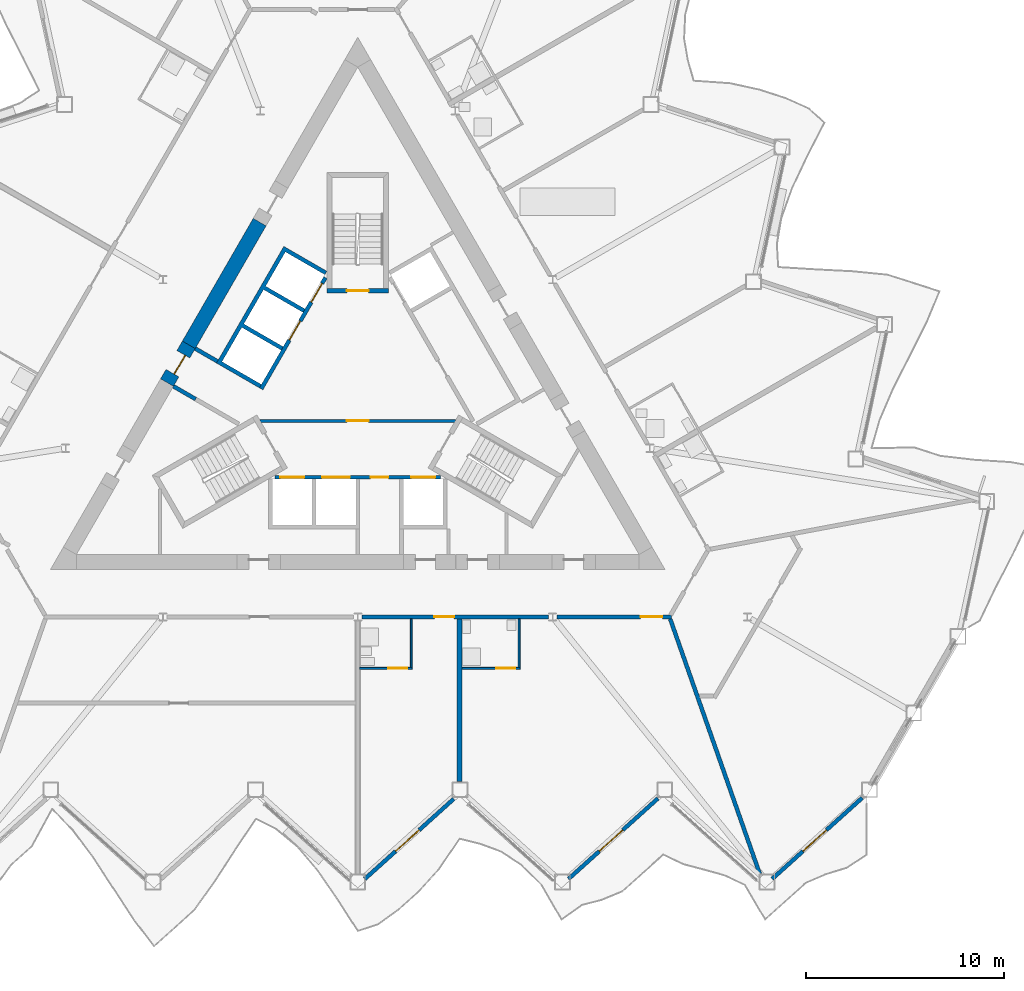
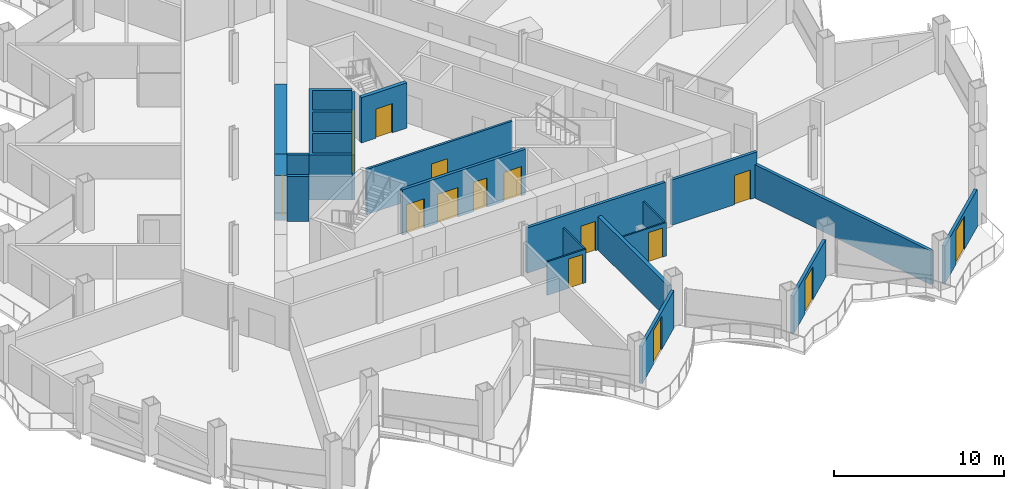
# One storey, part 11 of 22: 20 walls, 16 doors, 16 openings.
"""IFC4 building model written with IfcOpenShell, lengths in metres."""

from ifc_helpers import new_model, si_unit, direction, frame, frame_2d, origin, place, context, subcontext, project, spatial, polyline, rectangle, outline, extrude, material, layer, layer_set, type_object, element, fill, save


model = new_model("IFC4")

# Units and contexts
model_context = context("Model", 3, precision=1e-05, world=origin(), true_north=direction((0.0, 1.0)))
body_context = subcontext(model_context, "Body", "Model", "MODEL_VIEW")
ifc_project = project(units=[si_unit("LENGTHUNIT", "METRE"), si_unit("AREAUNIT", "SQUARE_METRE"), si_unit("VOLUMEUNIT", "CUBIC_METRE"), si_unit("PLANEANGLEUNIT", "RADIAN"), si_unit("MASSUNIT", "GRAM", prefix="KILO")], contexts=[model_context])

# Site, building, storey
site_placement = place(None, origin())
site = spatial("IfcSite", under=ifc_project, at=site_placement, CompositionType="ELEMENT")
building_placement = place(site_placement, origin())
building = spatial("IfcBuilding", under=site, at=building_placement, Name="Cormorant Prow Tower", CompositionType="ELEMENT")
storey_placement = place(building_placement, frame((0.0, 0.0, 194.39990234375)))
storey = spatial("IfcBuildingStorey", under=building, at=storey_placement, Name="L42", CompositionType="ELEMENT", Elevation=194.39990234375)

# Wall, opening, door
ifc_material_1 = material(Name="Gypsum board partition")
ifc_layer_1 = layer(ifc_material_1, 0.14990234375)
ifc_layer_set_1 = layer_set([ifc_layer_1], Name="Gypsum board partition")
wall_type_1 = type_object("IfcWallType", Name="Core partition 150", PredefinedType="PARTITIONING", material=ifc_layer_set_1)
wall_1_placement = place(storey_placement, frame((-4.941162109375, -1.449951171875, 0.0), z_axis=(0.0, 0.0, 1.0), x_axis=(1.0, 0.0, 0.0)))
wall_1 = element("IfcWall", 1, at=wall_1_placement, inside=storey, type_object=wall_type_1, Name="Firefighting lobby partition", PredefinedType="PARTITIONING", context=body_context, shape_type="SweptSolid", body=[
    extrude(rectangle(XDim=9.88232421875, YDim=0.14990234375, at=frame_2d((4.941162109375, 0.0))), origin(), (0.0, 0.0, 1.0), 3.25),
])
opening_1_placement = place(wall_1_placement, frame((4.39111328125, 0.0, 0.0)))
opening_1 = element("IfcOpeningElement", 2, at=opening_1_placement, cuts=wall_1, Name="Opening L42-C09", PredefinedType="OPENING", context=body_context, shape_type="SweptSolid", body=[
    extrude(rectangle(XDim=1.10009765625, YDim=2.10009765625, at=frame_2d((0.550048828125, 1.050048828125))), frame((0.0, 0.0849609375, 0.0), z_axis=(0.0, -1.0, 0.0), x_axis=(1.0, 0.0, 0.0)), (0.0, 0.0, 1.0), 0.169921875),
])
ifc_material_2 = material(Name="Painted steel", Category="steel")
door_type_1 = type_object("IfcDoorType", Name="Firefighting lobby door 1100x2100", OperationType="NOTDEFINED", PredefinedType="DOOR", material=ifc_material_2)
door_1_placement = place(opening_1_placement, origin())
door_1 = element("IfcDoor", 3, at=door_1_placement, inside=storey, type_object=door_type_1, Name="Firefighting lobby door", OperationType="SINGLE_SWING_LEFT", OverallHeight=2.10009765625, OverallWidth=1.10009765625, PredefinedType="DOOR", context=body_context, shape_type="SweptSolid", body=[
    extrude(rectangle(XDim=1.10009765625, YDim=2.10009765625, at=frame_2d((0.550048828125, 1.050048828125))), frame((0.0, 0.02490234375, 0.0), z_axis=(0.0, -1.0, 0.0), x_axis=(1.0, 0.0, 0.0)), (0.0, 0.0, 1.0), 0.050048828125),
])
fill(opening_1, door_1)

# Wall
ifc_material_3 = material(Name="Concrete 8000 psi", Category="concrete")
ifc_layer_2 = layer(ifc_material_3, 0.75)
ifc_layer_set_2 = layer_set([ifc_layer_2], Name="Concrete 8000 psi")
wall_type_2 = type_object("IfcWallType", Name="Core shear wall 750", PredefinedType="SHEAR", material=ifc_layer_set_2)
wall_2_placement = place(storey_placement, frame((-4.949951171875, 8.57421875, 0.0), z_axis=(0.0, 0.0, 1.0), x_axis=(-0.499987463267, -0.866032641749, 0.0)))
element("IfcWall", 4, at=wall_2_placement, inside=storey, type_object=wall_type_2, Name="Core wall", PredefinedType="SHEAR", context=body_context, shape_type="SweptSolid", body=[
    extrude(rectangle(XDim=7.150634765625, YDim=0.75, at=frame_2d((3.5751953125, 0.0))), origin(), (0.0, 0.0, 1.0), 3.25),
])

# Wall, opening, door
wall_3_placement = place(storey_placement, frame((-8.525146484375, 2.381591796875, 0.0), z_axis=(0.0, 0.0, 1.0), x_axis=(-0.500077893725, -0.86598042715, 0.0)))
wall_3 = element("IfcWall", 5, at=wall_3_placement, inside=storey, type_object=wall_type_2, Name="Core wall door panel", PredefinedType="SHEAR", context=body_context, shape_type="SweptSolid", body=[
    extrude(rectangle(XDim=2.199951171875, YDim=0.75, at=frame_2d((1.10009765625, 0.0))), origin(), (0.0, 0.0, 1.0), 3.25),
])
opening_2_placement = place(wall_3_placement, frame((0.550048828125, 0.0, 0.0)))
opening_2 = element("IfcOpeningElement", 6, at=opening_2_placement, cuts=wall_3, Name="Opening L42-C21", PredefinedType="OPENING", context=body_context, shape_type="SweptSolid", body=[
    extrude(rectangle(XDim=1.10009765625, YDim=2.10009765625, at=frame_2d((0.550048828125, 1.050048828125))), frame((0.0, 0.385009765625, 0.0), z_axis=(0.0, -1.0, 0.0), x_axis=(1.0, 0.0, 0.0)), (0.0, 0.0, 1.0), 0.77001953125),
])
ifc_material_4 = material(Name="Painted steel", Category="steel")
door_type_2 = type_object("IfcDoorType", Name="Core door 1100x2100", OperationType="NOTDEFINED", PredefinedType="DOOR", material=ifc_material_4)
door_2_placement = place(opening_2_placement, origin())
door_2 = element("IfcDoor", 7, at=door_2_placement, inside=storey, type_object=door_type_2, Name="Core door, lift lobby", OperationType="SINGLE_SWING_LEFT", OverallHeight=2.10009765625, OverallWidth=1.10009765625, PredefinedType="DOOR", context=body_context, shape_type="SweptSolid", body=[
    extrude(rectangle(XDim=1.10009765625, YDim=2.10009765625, at=frame_2d((0.550048828125, 1.050048828125))), frame((0.0, 0.1298828125, 0.0), z_axis=(0.0, -1.0, 0.0), x_axis=(1.0, 0.0, 0.0)), (0.0, 0.0, 1.0), 0.050048828125),
])
fill(opening_2, door_2)

ifc_material_5 = material(Name="Gypsum board corridor wall")
ifc_layer_3 = layer(ifc_material_5, 0.199951171875)
ifc_layer_set_3 = layer_set([ifc_layer_3], Name="Gypsum board corridor wall")
wall_type_3 = type_object("IfcWallType", Name="Corridor wall 200", PredefinedType="PARTITIONING", material=ifc_layer_set_3)
wall_4_placement = place(storey_placement, frame((0.213623046875, -11.348876953125, 0.0), z_axis=(0.0, 0.0, 1.0), x_axis=(1.0, 0.0, 0.0)))
wall_4 = element("IfcWall", 8, at=wall_4_placement, inside=storey, type_object=wall_type_3, Name="Corridor wall", PredefinedType="PARTITIONING", context=body_context, shape_type="SweptSolid", body=[
    extrude(rectangle(XDim=9.401123046875, YDim=0.199951171875, at=frame_2d((4.70068359375, 0.0))), origin(), (0.0, 0.0, 1.0), 3.25),
])
opening_3_placement = place(wall_4_placement, frame((3.650390625, 0.0, 0.0)))
opening_3 = element("IfcOpeningElement", 9, at=opening_3_placement, cuts=wall_4, Name="Opening L42-F03", PredefinedType="OPENING", context=body_context, shape_type="SweptSolid", body=[
    extrude(rectangle(XDim=1.0, YDim=2.10009765625, at=frame_2d((0.5, 1.050048828125))), frame((0.0, 0.10986328125, 0.0), z_axis=(0.0, -1.0, 0.0), x_axis=(1.0, 0.0, 0.0)), (0.0, 0.0, 1.0), 0.219970703125),
])
ifc_material_6 = material(Name="Timber door leaf", Category="wood")
door_type_3 = type_object("IfcDoorType", Name="Flat or room entrance door 1000x2100", OperationType="NOTDEFINED", PredefinedType="DOOR", material=ifc_material_6)
door_3_placement = place(opening_3_placement, origin())
door_3 = element("IfcDoor", 10, at=door_3_placement, inside=storey, type_object=door_type_3, Name="Guest room door", OperationType="SINGLE_SWING_RIGHT", OverallHeight=2.10009765625, OverallWidth=1.0, PredefinedType="DOOR", context=body_context, shape_type="SweptSolid", body=[
    extrude(rectangle(XDim=1.0, YDim=2.10009765625, at=frame_2d((0.5, 1.050048828125))), frame((0.0, 0.02490234375, 0.0), z_axis=(0.0, -1.0, 0.0), x_axis=(1.0, 0.0, 0.0)), (0.0, 0.0, 1.0), 0.050048828125),
])
fill(opening_3, door_3)

wall_5_placement = place(storey_placement, frame((10.042236328125, -11.348876953125, 0.0), z_axis=(0.0, 0.0, 1.0), x_axis=(1.0, 0.0, 0.0)))
wall_5 = element("IfcWall", 11, at=wall_5_placement, inside=storey, type_object=wall_type_3, Name="Corridor wall", PredefinedType="PARTITIONING", context=body_context, shape_type="SweptSolid", body=[
    extrude(rectangle(XDim=5.78857421875, YDim=0.199951171875, at=frame_2d((2.894287109375, 0.0))), origin(), (0.0, 0.0, 1.0), 3.25),
])
opening_4_placement = place(wall_5_placement, frame((4.234375, 0.0, 0.0)))
opening_4 = element("IfcOpeningElement", 12, at=opening_4_placement, cuts=wall_5, Name="Opening L42-F05", PredefinedType="OPENING", context=body_context, shape_type="SweptSolid", body=[
    extrude(rectangle(XDim=1.10009765625, YDim=2.10009765625, at=frame_2d((0.550048828125, 1.050048828125))), frame((0.0, 0.10986328125, 0.0), z_axis=(0.0, -1.0, 0.0), x_axis=(1.0, 0.0, 0.0)), (0.0, 0.0, 1.0), 0.219970703125),
])
ifc_material_7 = material(Name="Timber door leaf", Category="wood")
door_type_4 = type_object("IfcDoorType", Name="Suite entrance door 1100x2100", OperationType="NOTDEFINED", PredefinedType="DOOR", material=ifc_material_7)
door_4_placement = place(opening_4_placement, origin())
door_4 = element("IfcDoor", 13, at=door_4_placement, inside=storey, type_object=door_type_4, Name="Executive suite bedroom door", OperationType="SINGLE_SWING_RIGHT", OverallHeight=2.10009765625, OverallWidth=1.10009765625, PredefinedType="DOOR", context=body_context, shape_type="SweptSolid", body=[
    extrude(rectangle(XDim=1.10009765625, YDim=2.10009765625, at=frame_2d((0.550048828125, 1.050048828125))), frame((0.0, 0.02490234375, 0.0), z_axis=(0.0, -1.0, 0.0), x_axis=(1.0, 0.0, 0.0)), (0.0, 0.0, 1.0), 0.050048828125),
])
fill(opening_4, door_4)

# Wall
ifc_material_8 = material(Name="Gypsum board demising wall")
ifc_layer_4 = layer(ifc_material_8, 0.199951171875)
ifc_layer_set_4 = layer_set([ifc_layer_4], Name="Gypsum board demising wall")
wall_type_4 = type_object("IfcWallType", Name="Demising wall 200", PredefinedType="PARTITIONING", material=ifc_layer_set_4)
wall_6_placement = place(storey_placement, frame((15.763916015625, -11.443359375, 0.0), z_axis=(0.0, 0.0, 1.0), x_axis=(0.331517429591, -0.943449094481, 0.0)))
element("IfcWall", 14, at=wall_6_placement, inside=storey, type_object=wall_type_4, Name="Demising wall", PredefinedType="PARTITIONING", context=body_context, shape_type="SweptSolid", body=[
    extrude(rectangle(XDim=13.639404296875, YDim=0.199951171875, at=frame_2d((6.81982421875, 0.0))), origin(), (0.0, 0.0, 1.0), 2.404296875),
])

# Wall, opening, door
ifc_material_9 = material(Name="Gypsum board partition")
ifc_layer_5 = layer(ifc_material_9, 0.10009765625)
ifc_layer_set_5 = layer_set([ifc_layer_5], Name="Gypsum board partition")
wall_type_5 = type_object("IfcWallType", Name="Internal partition 100", PredefinedType="PARTITIONING", material=ifc_layer_set_5)
wall_7_placement = place(storey_placement, frame((5.263427734375, -13.948974609375, 0.0), z_axis=(0.0, 0.0, 1.0), x_axis=(1.0, 0.0, 0.0)))
wall_7 = element("IfcWall", 15, at=wall_7_placement, inside=storey, type_object=wall_type_5, Name="Internal partition", PredefinedType="PARTITIONING", context=body_context, shape_type="SweptSolid", body=[
    extrude(rectangle(XDim=2.925048828125, YDim=0.10009765625, at=frame_2d((1.46240234375, 0.0))), origin(), (0.0, 0.0, 1.0), 2.404296875),
])
opening_5_placement = place(wall_7_placement, frame((1.72509765625, 0.0, 0.0)))
opening_5 = element("IfcOpeningElement", 16, at=opening_5_placement, cuts=wall_7, Name="Opening L42-F06", PredefinedType="OPENING", context=body_context, shape_type="SweptSolid", body=[
    extrude(rectangle(XDim=0.949951171875, YDim=2.10009765625, at=frame_2d((0.47509765625, 1.050048828125))), frame((0.0, 0.06005859375, 0.0), z_axis=(0.0, -1.0, 0.0), x_axis=(1.0, 0.0, 0.0)), (0.0, 0.0, 1.0), 0.1201171875),
])
ifc_material_10 = material(Name="Timber door leaf", Category="wood")
door_type_5 = type_object("IfcDoorType", Name="Bathroom door 950x2100", OperationType="NOTDEFINED", PredefinedType="DOOR", material=ifc_material_10)
door_5_placement = place(opening_5_placement, origin())
door_5 = element("IfcDoor", 17, at=door_5_placement, inside=storey, type_object=door_type_5, Name="Executive suite bedroom door", OperationType="SINGLE_SWING_RIGHT", OverallHeight=2.10009765625, OverallWidth=0.949951171875, PredefinedType="DOOR", context=body_context, shape_type="SweptSolid", body=[
    extrude(rectangle(XDim=0.949951171875, YDim=2.10009765625, at=frame_2d((0.47509765625, 1.050048828125))), frame((0.0, 0.02490234375, 0.0), z_axis=(0.0, -1.0, 0.0), x_axis=(1.0, 0.0, 0.0)), (0.0, 0.0, 1.0), 0.050048828125),
])
fill(opening_5, door_5)

wall_8_placement = place(storey_placement, frame((0.10009765625, -13.948974609375, 0.0), z_axis=(0.0, 0.0, 1.0), x_axis=(1.0, 0.0, 0.0)))
wall_8 = element("IfcWall", 18, at=wall_8_placement, inside=storey, type_object=wall_type_5, Name="Internal partition", PredefinedType="PARTITIONING", context=body_context, shape_type="SweptSolid", body=[
    extrude(rectangle(XDim=2.64990234375, YDim=0.10009765625, at=frame_2d((1.324951171875, 0.0))), origin(), (0.0, 0.0, 1.0), 2.404296875),
])
opening_6_placement = place(wall_8_placement, frame((1.449951171875, 0.0, 0.0)))
opening_6 = element("IfcOpeningElement", 19, at=opening_6_placement, cuts=wall_8, Name="Opening L42-F04", PredefinedType="OPENING", context=body_context, shape_type="SweptSolid", body=[
    extrude(rectangle(XDim=0.949951171875, YDim=2.10009765625, at=frame_2d((0.47509765625, 1.050048828125))), frame((0.0, 0.06005859375, 0.0), z_axis=(0.0, -1.0, 0.0), x_axis=(1.0, 0.0, 0.0)), (0.0, 0.0, 1.0), 0.1201171875),
])
door_6_placement = place(opening_6_placement, origin())
door_6 = element("IfcDoor", 20, at=door_6_placement, inside=storey, type_object=door_type_5, Name="Guest room door", OperationType="SINGLE_SWING_RIGHT", OverallHeight=2.10009765625, OverallWidth=0.949951171875, PredefinedType="DOOR", context=body_context, shape_type="SweptSolid", body=[
    extrude(rectangle(XDim=0.949951171875, YDim=2.10009765625, at=frame_2d((0.47509765625, 1.050048828125))), frame((0.0, 0.02490234375, 0.0), z_axis=(0.0, -1.0, 0.0), x_axis=(1.0, 0.0, 0.0)), (0.0, 0.0, 1.0), 0.050048828125),
])
fill(opening_6, door_6)

# Walls
for number, where, z_axis, x_axis, name in (
    (21, (2.699951171875, -13.89892578125, 0.0), (0.0, 0.0, 1.0), (0.0, 1.0, 0.0), "Internal partition"),
    (22, (8.138427734375, -13.89892578125, 0.0), (0.0, 0.0, 1.0), (0.0, 1.0, 0.0), "Internal partition"),
):
    element("IfcWall", number, at=place(storey_placement, frame(where, z_axis=z_axis, x_axis=x_axis)), inside=storey, type_object=wall_type_5, Name=name, PredefinedType="PARTITIONING", context=body_context, shape_type="SweptSolid", body=[
        extrude(rectangle(XDim=2.449951171875, YDim=0.10009765625, at=frame_2d((1.22509765625, 0.0))), origin(), (0.0, 0.0, 1.0), 2.404296875),
    ])

# Wall, openings, doors
ifc_material_11 = material(Name="Concrete 5000 psi", Category="concrete")
ifc_layer_6 = layer(ifc_material_11, 0.199951171875)
ifc_layer_set_6 = layer_set([ifc_layer_6], Name="Concrete 5000 psi")
wall_type_6 = type_object("IfcWallType", Name="Lift lobby wall 200", PredefinedType="SOLIDWALL", material=ifc_layer_set_6)
wall_9_placement = place(storey_placement, frame((-4.1865234375, -4.300048828125, 0.0), z_axis=(0.0, 0.0, 1.0), x_axis=(1.0, 0.0, 0.0)))
wall_9 = element("IfcWall", 23, at=wall_9_placement, inside=storey, type_object=wall_type_6, Name="Lift lobby wall, S block", PredefinedType="SOLIDWALL", context=body_context, shape_type="SweptSolid", body=[
    extrude(rectangle(XDim=8.373046875, YDim=0.199951171875, at=frame_2d((4.1865234375, 0.0))), origin(), (0.0, 0.0, 1.0), 3.25),
])
opening_7_placement = place(wall_9_placement, frame((0.28662109375, 0.0, 0.0)))
opening_7 = element("IfcOpeningElement", 24, at=opening_7_placement, cuts=wall_9, Name="Opening L42-C01", PredefinedType="OPENING", context=body_context, shape_type="SweptSolid", body=[
    extrude(rectangle(XDim=1.199951171875, YDim=2.10009765625, at=frame_2d((0.60009765625, 1.050048828125))), frame((0.0, 0.10986328125, 0.0), z_axis=(0.0, -1.0, 0.0), x_axis=(1.0, 0.0, 0.0)), (0.0, 0.0, 1.0), 0.219970703125),
])
opening_8_placement = place(wall_9_placement, frame((2.38671875, 0.0, 0.0)))
opening_8 = element("IfcOpeningElement", 25, at=opening_8_placement, cuts=wall_9, Name="Opening L42-C02", PredefinedType="OPENING", context=body_context, shape_type="SweptSolid", body=[
    extrude(rectangle(XDim=1.39990234375, YDim=2.10009765625, at=frame_2d((0.699951171875, 1.050048828125))), frame((0.0, 0.10986328125, 0.0), z_axis=(0.0, -1.0, 0.0), x_axis=(1.0, 0.0, 0.0)), (0.0, 0.0, 1.0), 0.219970703125),
])
opening_9_placement = place(wall_9_placement, frame((4.836669921875, 0.0, 0.0)))
opening_9 = element("IfcOpeningElement", 26, at=opening_9_placement, cuts=wall_9, Name="Opening L42-C03", PredefinedType="OPENING", context=body_context, shape_type="SweptSolid", body=[
    extrude(rectangle(XDim=0.89990234375, YDim=2.10009765625, at=frame_2d((0.449951171875, 1.050048828125))), frame((0.0, 0.10986328125, 0.0), z_axis=(0.0, -1.0, 0.0), x_axis=(1.0, 0.0, 0.0)), (0.0, 0.0, 1.0), 0.219970703125),
])
opening_10_placement = place(wall_9_placement, frame((6.88671875, 0.0, 0.0)))
opening_10 = element("IfcOpeningElement", 27, at=opening_10_placement, cuts=wall_9, Name="Opening L42-C04", PredefinedType="OPENING", context=body_context, shape_type="SweptSolid", body=[
    extrude(rectangle(XDim=1.199951171875, YDim=2.10009765625, at=frame_2d((0.60009765625, 1.050048828125))), frame((0.0, 0.10986328125, 0.0), z_axis=(0.0, -1.0, 0.0), x_axis=(1.0, 0.0, 0.0)), (0.0, 0.0, 1.0), 0.219970703125),
])
ifc_material_12 = material(Name="Painted steel", Category="steel")
door_type_6 = type_object("IfcDoorType", Name="Firefighting lift landing door 1200x2100", OperationType="SLIDING_TO_LEFT", PredefinedType="DOOR", material=ifc_material_12)
door_7_placement = place(opening_7_placement, origin())
door_7 = element("IfcDoor", 28, at=door_7_placement, inside=storey, type_object=door_type_6, Name="Landing door FL1", OperationType="SLIDING_TO_LEFT", OverallHeight=2.10009765625, OverallWidth=1.199951171875, PredefinedType="DOOR", context=body_context, shape_type="SweptSolid", body=[
    extrude(rectangle(XDim=1.199951171875, YDim=2.10009765625, at=frame_2d((0.60009765625, 1.050048828125))), frame((0.0, 0.02490234375, 0.0), z_axis=(0.0, -1.0, 0.0), x_axis=(1.0, 0.0, 0.0)), (0.0, 0.0, 1.0), 0.050048828125),
])
fill(opening_7, door_7)
door_8_placement = place(opening_10_placement, origin())
door_8 = element("IfcDoor", 29, at=door_8_placement, inside=storey, type_object=door_type_6, Name="Landing door FL2", OperationType="SLIDING_TO_LEFT", OverallHeight=2.10009765625, OverallWidth=1.199951171875, PredefinedType="DOOR", context=body_context, shape_type="SweptSolid", body=[
    extrude(rectangle(XDim=1.199951171875, YDim=2.10009765625, at=frame_2d((0.60009765625, 1.050048828125))), frame((0.0, 0.02490234375, 0.0), z_axis=(0.0, -1.0, 0.0), x_axis=(1.0, 0.0, 0.0)), (0.0, 0.0, 1.0), 0.050048828125),
])
fill(opening_10, door_8)
ifc_material_13 = material(Name="Painted steel", Category="steel")
door_type_7 = type_object("IfcDoorType", Name="Service door 900x2100", OperationType="NOTDEFINED", PredefinedType="DOOR", material=ifc_material_13)
door_9_placement = place(opening_9_placement, origin())
door_9 = element("IfcDoor", 30, at=door_9_placement, inside=storey, type_object=door_type_7, Name="Service door, Refuse store", OperationType="SINGLE_SWING_RIGHT", OverallHeight=2.10009765625, OverallWidth=0.89990234375, PredefinedType="DOOR", context=body_context, shape_type="SweptSolid", body=[
    extrude(rectangle(XDim=0.89990234375, YDim=2.10009765625, at=frame_2d((0.449951171875, 1.050048828125))), frame((0.0, 0.02490234375, 0.0), z_axis=(0.0, -1.0, 0.0), x_axis=(1.0, 0.0, 0.0)), (0.0, 0.0, 1.0), 0.050048828125),
])
fill(opening_9, door_9)
ifc_material_14 = material(Name="Painted steel", Category="steel")
door_type_8 = type_object("IfcDoorType", Name="Service lift landing door 1400x2100", OperationType="SLIDING_TO_LEFT", PredefinedType="DOOR", material=ifc_material_14)
door_10_placement = place(opening_8_placement, origin())
door_10 = element("IfcDoor", 31, at=door_10_placement, inside=storey, type_object=door_type_8, Name="Landing door SL1", OperationType="SLIDING_TO_LEFT", OverallHeight=2.10009765625, OverallWidth=1.39990234375, PredefinedType="DOOR", context=body_context, shape_type="SweptSolid", body=[
    extrude(rectangle(XDim=1.39990234375, YDim=2.10009765625, at=frame_2d((0.699951171875, 1.050048828125))), frame((0.0, 0.02490234375, 0.0), z_axis=(0.0, -1.0, 0.0), x_axis=(1.0, 0.0, 0.0)), (0.0, 0.0, 1.0), 0.050048828125),
])
fill(opening_8, door_10)

wall_10_placement = place(storey_placement, frame((-1.630615234375, 5.775634765625, 0.0), z_axis=(0.0, 0.0, 1.0), x_axis=(-0.499992876559, -0.866029516466, 0.0)))
wall_10 = element("IfcWall", 32, at=wall_10_placement, inside=storey, type_object=wall_type_6, Name="Lift lobby wall, WNW block", PredefinedType="SOLIDWALL", context=body_context, shape_type="SweptSolid", body=[
    extrude(rectangle(XDim=6.486328125, YDim=0.199951171875, at=frame_2d((3.2431640625, 0.0))), origin(), (0.0, 0.0, 1.0), 3.25),
])
opening_11_placement = place(wall_10_placement, frame((0.336669921875, 0.0, 0.0)))
opening_11 = element("IfcOpeningElement", 33, at=opening_11_placement, cuts=wall_10, Name="Opening L42-C07", PredefinedType="OPENING", context=body_context, shape_type="SweptSolid", body=[
    extrude(rectangle(XDim=1.10009765625, YDim=2.10009765625, at=frame_2d((0.550048828125, 1.050048828125))), frame((0.0, 0.10986328125, 0.0), z_axis=(0.0, -1.0, 0.0), x_axis=(1.0, 0.0, 0.0)), (0.0, 0.0, 1.0), 0.219970703125),
])
opening_12_placement = place(wall_10_placement, frame((2.53662109375, 0.0, 0.0)))
opening_12 = element("IfcOpeningElement", 34, at=opening_12_placement, cuts=wall_10, Name="Opening L42-C08", PredefinedType="OPENING", context=body_context, shape_type="SweptSolid", body=[
    extrude(rectangle(XDim=1.10009765625, YDim=2.10009765625, at=frame_2d((0.550048828125, 1.050048828125))), frame((0.0, 0.10986328125, 0.0), z_axis=(0.0, -1.0, 0.0), x_axis=(1.0, 0.0, 0.0)), (0.0, 0.0, 1.0), 0.219970703125),
])
ifc_material_15 = material(Name="Painted steel", Category="steel")
door_type_9 = type_object("IfcDoorType", Name="Lift landing door 1100x2100", OperationType="SLIDING_TO_LEFT", PredefinedType="DOOR", material=ifc_material_15)
door_11_placement = place(opening_11_placement, origin())
door_11 = element("IfcDoor", 35, at=door_11_placement, inside=storey, type_object=door_type_9, Name="Landing door MR2", OperationType="SLIDING_TO_LEFT", OverallHeight=2.10009765625, OverallWidth=1.10009765625, PredefinedType="DOOR", context=body_context, shape_type="SweptSolid", body=[
    extrude(rectangle(XDim=1.10009765625, YDim=2.10009765625, at=frame_2d((0.550048828125, 1.050048828125))), frame((0.0, 0.02490234375, 0.0), z_axis=(0.0, -1.0, 0.0), x_axis=(1.0, 0.0, 0.0)), (0.0, 0.0, 1.0), 0.050048828125),
])
fill(opening_11, door_11)
door_12_placement = place(opening_12_placement, origin())
door_12 = element("IfcDoor", 36, at=door_12_placement, inside=storey, type_object=door_type_9, Name="Landing door MR3", OperationType="SLIDING_TO_LEFT", OverallHeight=2.10009765625, OverallWidth=1.10009765625, PredefinedType="DOOR", context=body_context, shape_type="SweptSolid", body=[
    extrude(rectangle(XDim=1.10009765625, YDim=2.10009765625, at=frame_2d((0.550048828125, 1.050048828125))), frame((0.0, 0.02490234375, 0.0), z_axis=(0.0, -1.0, 0.0), x_axis=(1.0, 0.0, 0.0)), (0.0, 0.0, 1.0), 0.050048828125),
])
fill(opening_12, door_12)

# Walls
ifc_material_16 = material(Name="Concrete 8000 psi", Category="concrete")
ifc_layer_7 = layer(ifc_material_16, 0.199951171875)
ifc_layer_set_7 = layer_set([ifc_layer_7], Name="Concrete 8000 psi")
wall_type_7 = type_object("IfcWallType", Name="Lift shaft wall 200", PredefinedType="SHEAR", material=ifc_layer_set_7)
wall_11_placement = place(storey_placement, origin())
element("IfcWall", 37, at=wall_11_placement, inside=storey, type_object=wall_type_7, Name="Lift shaft walls, WNW block", PredefinedType="SHEAR", context=body_context, shape_type="SweptSolid", body=[
    extrude(outline(polyline([(-4.96044921875, 0.2080078125), (-7.130859375, 1.461181640625), (-3.730712890625, 7.35009765625), (-1.560546875, 6.09716796875), (-1.660400390625, 5.923828125), (-3.65234375, 7.073974609375), (-4.65234375, 5.341796875), (-2.660400390625, 4.19189453125), (-2.760498046875, 4.018798828125), (-4.75244140625, 5.168701171875), (-5.75244140625, 3.4365234375), (-3.760498046875, 2.28662109375), (-3.860595703125, 2.11328125), (-5.852294921875, 3.263427734375), (-6.852294921875, 1.53125), (-4.860595703125, 0.38134765625), (-4.96044921875, 0.2080078125)])), origin(), (0.0, 0.0, 1.0), 3.25),
])
for number, where, z_axis, x_axis, name in (
    (38, (-7.080810546875, 1.547607421875, 0.0), (0.0, 0.0, 1.0), (-0.866003189247, 0.500038474733, 0.0), "Lobby passage wall"),
    (39, (-8.180908203125, -0.357421875, 0.0), (0.0, 0.0, 1.0), (-0.866003189247, 0.500038474733, 0.0), "Lobby passage wall"),
):
    element("IfcWall", number, at=place(storey_placement, frame(where, z_axis=z_axis, x_axis=x_axis)), inside=storey, type_object=wall_type_7, Name=name, PredefinedType="SHEAR", context=body_context, shape_type="SweptSolid", body=[
        extrude(rectangle(XDim=1.29296875, YDim=0.199951171875, at=frame_2d((0.646484375, 0.0))), origin(), (0.0, 0.0, 1.0), 3.25),
    ])

# Wall, opening, door
ifc_material_17 = material(Name="Concrete 8000 psi", Category="concrete")
ifc_layer_8 = layer(ifc_material_17, 0.25)
ifc_layer_set_8 = layer_set([ifc_layer_8], Name="Concrete 8000 psi")
wall_type_8 = type_object("IfcWallType", Name="Stair wall 250", PredefinedType="SHEAR", material=ifc_layer_set_8)
wall_12_placement = place(storey_placement, frame((1.5439453125, 5.11181640625, 0.0), z_axis=(0.0, 0.0, 1.0), x_axis=(-1.0, 0.0, 0.0)))
wall_12 = element("IfcWall", 40, at=wall_12_placement, inside=storey, type_object=wall_type_8, Name="Stair ST3 door wall", PredefinedType="SHEAR", context=body_context, shape_type="SweptSolid", body=[
    extrude(rectangle(XDim=3.087890625, YDim=0.25, at=frame_2d((1.5439453125, 0.0))), origin(), (0.0, 0.0, 1.0), 3.25),
])
opening_13_placement = place(wall_12_placement, frame((0.993896484375, 0.0, 0.0)))
opening_13 = element("IfcOpeningElement", 41, at=opening_13_placement, cuts=wall_12, Name="Opening L42-C12", PredefinedType="OPENING", context=body_context, shape_type="SweptSolid", body=[
    extrude(rectangle(XDim=1.10009765625, YDim=2.10009765625, at=frame_2d((0.550048828125, 1.050048828125))), frame((0.0, 0.135009765625, 0.0), z_axis=(0.0, -1.0, 0.0), x_axis=(1.0, 0.0, 0.0)), (0.0, 0.0, 1.0), 0.27001953125),
])
ifc_material_18 = material(Name="Painted steel", Category="steel")
door_type_10 = type_object("IfcDoorType", Name="Stair door 1100x2100", OperationType="NOTDEFINED", PredefinedType="DOOR", material=ifc_material_18)
door_13_placement = place(opening_13_placement, origin())
door_13 = element("IfcDoor", 42, at=door_13_placement, inside=storey, type_object=door_type_10, Name="Stair ST3 door", OperationType="SINGLE_SWING_RIGHT", OverallHeight=2.10009765625, OverallWidth=1.10009765625, PredefinedType="DOOR", context=body_context, shape_type="SweptSolid", body=[
    extrude(rectangle(XDim=1.10009765625, YDim=2.10009765625, at=frame_2d((0.550048828125, 1.050048828125))), frame((0.0, 0.02490234375, 0.0), z_axis=(0.0, -1.0, 0.0), x_axis=(1.0, 0.0, 0.0)), (0.0, 0.0, 1.0), 0.050048828125),
])
fill(opening_13, door_13)

# Wall
ifc_material_19 = material(Name="Acoustic gypsum party wall")
ifc_layer_9 = layer(ifc_material_19, 0.25)
ifc_layer_set_9 = layer_set([ifc_layer_9], Name="Acoustic gypsum party wall")
wall_type_9 = type_object("IfcWallType", Name="Suite party wall 250", PredefinedType="PARTITIONING", material=ifc_layer_set_9)
wall_13_placement = place(storey_placement, frame((5.138427734375, -19.661376953125, 0.0), z_axis=(0.0, 0.0, 1.0), x_axis=(0.0, 1.0, 0.0)))
element("IfcWall", 43, at=wall_13_placement, inside=storey, type_object=wall_type_9, Name="Suite party wall", PredefinedType="PARTITIONING", context=body_context, shape_type="SweptSolid", body=[
    extrude(rectangle(XDim=8.21240234375, YDim=0.25, at=frame_2d((4.106201171875, 0.0))), origin(), (0.0, 0.0, 1.0), 2.404296875),
])

# Wall, opening, door
ifc_material_20 = material(Name="Terracotta", Category="masonry")
ifc_layer_10 = layer(ifc_material_20, 0.199951171875)
ifc_layer_set_10 = layer_set([ifc_layer_10], Name="Terracotta")
wall_type_10 = type_object("IfcWallType", Name="Terracotta jamb wall 200", PredefinedType="SOLIDWALL", material=ifc_layer_set_10)
wall_14_placement = place(storey_placement, frame((0.355224609375, -24.5712890625, 0.0), z_axis=(0.0, 0.0, 1.0), x_axis=(0.743151394339, 0.669123310827, 0.0)))
wall_14 = element("IfcWall", 44, at=wall_14_placement, inside=storey, type_object=wall_type_10, Name="Terracotta jamb wall S05", PredefinedType="SOLIDWALL", context=body_context, shape_type="SweptSolid", body=[
    extrude(rectangle(XDim=6.03857421875, YDim=0.199951171875, at=frame_2d((3.019287109375, 0.0))), origin(), (0.0, 0.0, 1.0), 2.700927734375),
])
opening_14_placement = place(wall_14_placement, frame((2.08935546875, 0.0, 0.0)))
opening_14 = element("IfcOpeningElement", 45, at=opening_14_placement, cuts=wall_14, Name="Opening ED42.03", PredefinedType="OPENING", context=body_context, shape_type="SweptSolid", body=[
    extrude(rectangle(XDim=1.60009765625, YDim=2.39990234375, at=frame_2d((0.800048828125, 1.199951171875))), frame((0.0, 0.10986328125, 0.0), z_axis=(0.0, -1.0, 0.0), x_axis=(1.0, 0.0, 0.0)), (0.0, 0.0, 1.0), 0.219970703125),
])
ifc_material_21 = material(Name="Aluminium 6063-T6", Category="aluminium")
door_type_11 = type_object("IfcDoorType", Name="Balcony door 1600x2400", OperationType="DOUBLE_DOOR_SINGLE_SWING", PredefinedType="DOOR", material=ifc_material_21)
door_14_placement = place(opening_14_placement, origin())
door_14 = element("IfcDoor", 46, at=door_14_placement, inside=storey, type_object=door_type_11, Name="Balcony door S05 ED42.03", OperationType="DOUBLE_DOOR_SINGLE_SWING", OverallHeight=2.39990234375, OverallWidth=1.60009765625, PredefinedType="DOOR", context=body_context, shape_type="SweptSolid", body=[
    extrude(rectangle(XDim=1.60009765625, YDim=2.39990234375, at=frame_2d((0.800048828125, 1.199951171875))), frame((0.0, 0.02490234375, 0.0), z_axis=(0.0, -1.0, 0.0), x_axis=(1.0, 0.0, 0.0)), (0.0, 0.0, 1.0), 0.050048828125),
])
fill(opening_14, door_14)

wall_15_placement = place(storey_placement, frame((10.63232421875, -24.5712890625, 0.0), z_axis=(0.0, 0.0, 1.0), x_axis=(0.743144281997, 0.669131209954, 0.0)))
wall_15 = element("IfcWall", 47, at=wall_15_placement, inside=storey, type_object=wall_type_10, Name="Terracotta jamb wall S07", PredefinedType="SOLIDWALL", context=body_context, shape_type="SweptSolid", body=[
    extrude(rectangle(XDim=6.075927734375, YDim=0.199951171875, at=frame_2d((3.0380859375, 0.0))), origin(), (0.0, 0.0, 1.0), 2.700927734375),
])
opening_15_placement = place(wall_15_placement, frame((2.08935546875, 0.0, 0.0)))
opening_15 = element("IfcOpeningElement", 48, at=opening_15_placement, cuts=wall_15, Name="Opening ED42.04", PredefinedType="OPENING", context=body_context, shape_type="SweptSolid", body=[
    extrude(rectangle(XDim=1.60009765625, YDim=2.39990234375, at=frame_2d((0.800048828125, 1.199951171875))), frame((0.0, 0.10986328125, 0.0), z_axis=(0.0, -1.0, 0.0), x_axis=(1.0, 0.0, 0.0)), (0.0, 0.0, 1.0), 0.219970703125),
])
door_15_placement = place(opening_15_placement, origin())
door_15 = element("IfcDoor", 49, at=door_15_placement, inside=storey, type_object=door_type_11, Name="Balcony door S07 ED42.04", OperationType="DOUBLE_DOOR_SINGLE_SWING", OverallHeight=2.39990234375, OverallWidth=1.60009765625, PredefinedType="DOOR", context=body_context, shape_type="SweptSolid", body=[
    extrude(rectangle(XDim=1.60009765625, YDim=2.39990234375, at=frame_2d((0.800048828125, 1.199951171875))), frame((0.0, 0.02490234375, 0.0), z_axis=(0.0, -1.0, 0.0), x_axis=(1.0, 0.0, 0.0)), (0.0, 0.0, 1.0), 0.050048828125),
])
fill(opening_15, door_15)

wall_16_placement = place(storey_placement, frame((20.9091796875, -24.5712890625, 0.0), z_axis=(0.0, 0.0, 1.0), x_axis=(0.743153082589, 0.669121435794, 0.0)))
wall_16 = element("IfcWall", 50, at=wall_16_placement, inside=storey, type_object=wall_type_10, Name="Terracotta jamb wall S09", PredefinedType="SOLIDWALL", context=body_context, shape_type="SweptSolid", body=[
    extrude(rectangle(XDim=6.11083984375, YDim=0.199951171875, at=frame_2d((3.055419921875, 0.0))), origin(), (0.0, 0.0, 1.0), 2.700927734375),
])
opening_16_placement = place(wall_16_placement, frame((2.08935546875, 0.0, 0.0)))
opening_16 = element("IfcOpeningElement", 51, at=opening_16_placement, cuts=wall_16, Name="Opening ED42.05", PredefinedType="OPENING", context=body_context, shape_type="SweptSolid", body=[
    extrude(rectangle(XDim=1.60009765625, YDim=2.39990234375, at=frame_2d((0.800048828125, 1.199951171875))), frame((0.0, 0.10986328125, 0.0), z_axis=(0.0, -1.0, 0.0), x_axis=(1.0, 0.0, 0.0)), (0.0, 0.0, 1.0), 0.219970703125),
])
door_16_placement = place(opening_16_placement, origin())
door_16 = element("IfcDoor", 52, at=door_16_placement, inside=storey, type_object=door_type_11, Name="Balcony door S09 ED42.05", OperationType="DOUBLE_DOOR_SINGLE_SWING", OverallHeight=2.39990234375, OverallWidth=1.60009765625, PredefinedType="DOOR", context=body_context, shape_type="SweptSolid", body=[
    extrude(rectangle(XDim=1.60009765625, YDim=2.39990234375, at=frame_2d((0.800048828125, 1.199951171875))), frame((0.0, 0.02490234375, 0.0), z_axis=(0.0, -1.0, 0.0), x_axis=(1.0, 0.0, 0.0)), (0.0, 0.0, 1.0), 0.050048828125),
])
fill(opening_16, door_16)

save(model, "model.ifc")
